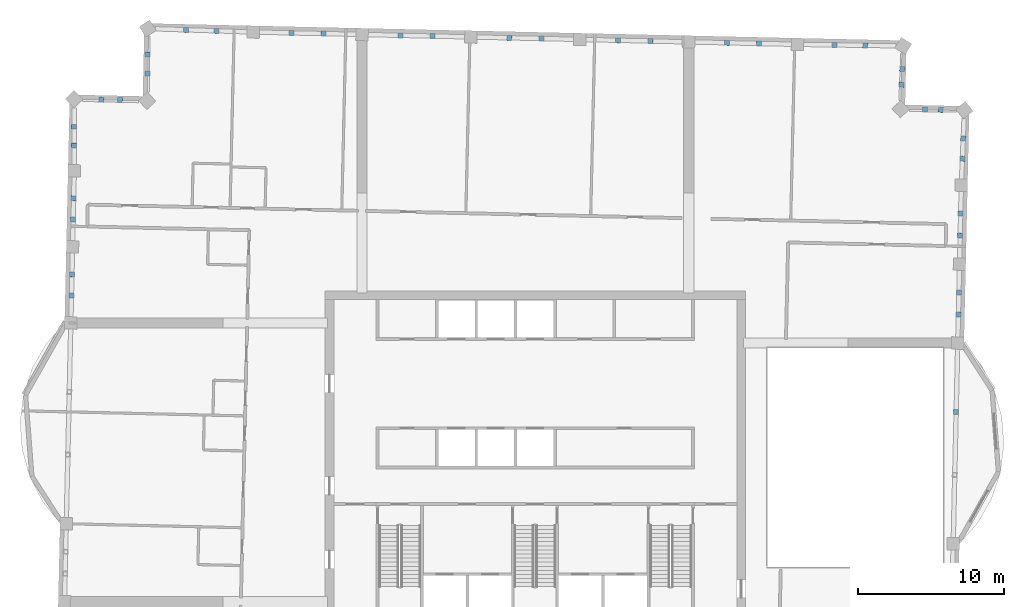
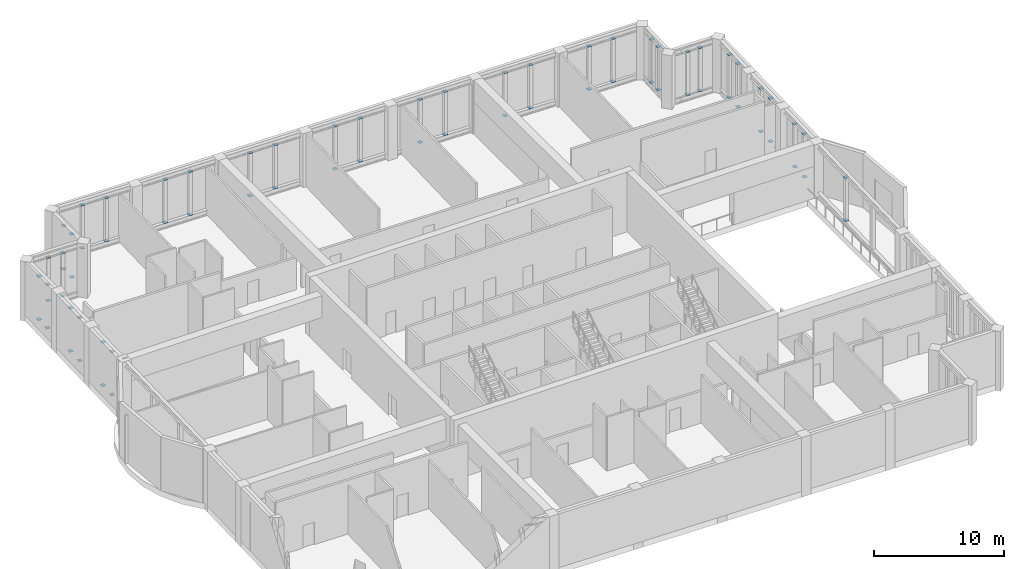
# One storey, part 14 of 16: 70 discrete accessories.
"""IFC4 building model written with IfcOpenShell, lengths in metres."""

import ifcopenshell
import ifcopenshell.guid

model = None  # the IFC model being written
_history = None  # IfcOwnerHistory: only IFC2X3 demands one
_inside = {}  # id of a spatial element -> (the spatial element, [elements in it])
_under = {}  # id of a project, library or spatial element -> (it, [spatial elements below it])
_declared = {}  # id of a project -> (the project, [libraries it declares])
_typed = {}  # id of a type object -> (the type object, [elements of that type])
_made_of = {}  # id of a material, layer set ... -> (it, [elements and type objects made of it])


def new_model(schema):
    """Start an empty IFC model of exactly this schema.

    Asked for "IFC4X3", IfcOpenShell would pick the latest addendum, in which some entities
    have other attributes; the version numbers below select the first issue.
    IFC2X3 requires an IfcOwnerHistory on every rooted entity: one is made here for all.
    """
    global model, _history
    if schema == "IFC4X3":
        model = ifcopenshell.file(schema_version=(4, 3, 0, 0))
    else:
        model = ifcopenshell.file(schema=schema)
    _inside.clear()
    _under.clear()
    _declared.clear()
    _typed.clear()
    _made_of.clear()
    _history = None
    if model.schema == "IFC2X3":
        org = make("IfcOrganization", Name="unknown")
        user = make(
            "IfcPersonAndOrganization",
            ThePerson=make("IfcPerson", FamilyName="unknown"),
            TheOrganization=org,
        )
        app = make(
            "IfcApplication",
            ApplicationDeveloper=org,
            Version="unknown",
            ApplicationFullName="unknown",
            ApplicationIdentifier="unknown",
        )
        _history = make(
            "IfcOwnerHistory",
            OwningUser=user,
            OwningApplication=app,
            ChangeAction="ADDED",
            CreationDate=0,
        )
    return model


def make(cls, **values):
    """One entity of the class cls with the attributes given. An attribute that is None is left unset."""
    return model.create_entity(
        cls, **{name: value for name, value in values.items() if value is not None}
    )


def rooted(cls, **values):
    """An entity with a GlobalId (a new one), such as an element, a storey or a relation."""
    return make(cls, GlobalId=ifcopenshell.guid.new(), OwnerHistory=_history, **values)


def si_unit(unit_type, name, prefix=None):
    """IfcSIUnit, for example si_unit("LENGTHUNIT", "METRE", prefix="MILLI")."""
    return make("IfcSIUnit", UnitType=unit_type, Prefix=prefix, Name=name)


def assignment(units):
    """IfcUnitAssignment: the units of a project."""
    return None if units is None else make("IfcUnitAssignment", Units=units)


def point(xyz):
    """IfcCartesianPoint."""
    return None if xyz is None else make("IfcCartesianPoint", Coordinates=xyz)


def direction(xyz):
    """IfcDirection."""
    return None if xyz is None else make("IfcDirection", DirectionRatios=xyz)


def frame(location, z_axis=None, x_axis=None):
    """IfcAxis2Placement3D, a coordinate frame: its origin and axes. An axis left out is left unset."""
    return make(
        "IfcAxis2Placement3D",
        Location=point(location),
        Axis=direction(z_axis),
        RefDirection=direction(x_axis),
    )


def frame_2d(location, x_axis=None):
    """IfcAxis2Placement2D, a coordinate frame in the plane: its origin and x axis."""
    return make(
        "IfcAxis2Placement2D", Location=point(location), RefDirection=direction(x_axis)
    )


def origin():
    """The frame at (0, 0, 0) with its axes left unset."""
    return frame((0.0, 0.0, 0.0))


def origin_2d():
    """The frame at (0, 0) in the plane with its x axis left unset."""
    return frame_2d((0.0, 0.0))


def place(relative_to, where):
    """IfcLocalPlacement: puts the frame where relative to a parent placement (None: the world)."""
    return make(
        "IfcLocalPlacement", PlacementRelTo=relative_to, RelativePlacement=where
    )


def context(
    kind, dimensions, precision=None, world=None, true_north=None, identifier=None
):
    """IfcGeometricRepresentationContext, for example the 3D "Model" context."""
    return make(
        "IfcGeometricRepresentationContext",
        ContextIdentifier=identifier,
        ContextType=kind,
        CoordinateSpaceDimension=dimensions,
        Precision=precision,
        WorldCoordinateSystem=world,
        TrueNorth=true_north,
    )


def subcontext(parent, identifier, kind, view, scale=None):
    """IfcGeometricRepresentationSubContext, for example "Body" below "Model"."""
    return make(
        "IfcGeometricRepresentationSubContext",
        ContextIdentifier=identifier,
        ContextType=kind,
        ParentContext=parent,
        TargetScale=scale,
        TargetView=view,
    )


def project(units=None, contexts=None):
    """IfcProject with its units and contexts."""
    return rooted(
        "IfcProject",
        Name="project",
        RepresentationContexts=contexts,
        UnitsInContext=assignment(units),
    )


def spatial(cls, under=None, at=None, **own):
    """A site, building, storey or space (cls), placed at a placement, below another one or the project."""
    s = rooted(cls, ObjectPlacement=at, **own)
    if under is not None:
        _under.setdefault(under.id(), (under, []))[1].append(s)
    return s


def profile(cls, at=None, kind="AREA", **sizes):
    """A parametric profile (cls). Its sizes go by their IFC names, for example OverallWidth=200.0."""
    return make(cls, ProfileType=kind, Position=at, **sizes)


def rectangle(**sizes):
    """IfcRectangleProfileDef."""
    return profile("IfcRectangleProfileDef", **sizes)


def extrude(swept, where, along, depth):
    """IfcExtrudedAreaSolid: the profile swept, set in the frame where, extruded along a direction by depth."""
    return make(
        "IfcExtrudedAreaSolid",
        SweptArea=swept,
        Position=where,
        ExtrudedDirection=direction(along),
        Depth=depth,
    )


def shape(context_of_items, identifier, shape_type, items):
    """IfcShapeRepresentation: the items that make up one representation, for example the "Body"."""
    return make(
        "IfcShapeRepresentation",
        ContextOfItems=context_of_items,
        RepresentationIdentifier=identifier,
        RepresentationType=shape_type,
        Items=items,
    )


def material(Name=None, Category=None):
    """IfcMaterial."""
    return make("IfcMaterial", Name=Name, Category=Category)


def layer(
    of_material, thickness, ventilated=None, Name=None, Category=None, Priority=None
):
    """IfcMaterialLayer: one layer of a wall or slab, of a material (None: an air gap)."""
    return make(
        "IfcMaterialLayer",
        Material=of_material,
        LayerThickness=thickness,
        IsVentilated=ventilated,
        Name=Name,
        Category=Category,
        Priority=Priority,
    )


def layer_set(layers, Name=None):
    """IfcMaterialLayerSet."""
    return make("IfcMaterialLayerSet", MaterialLayers=layers, LayerSetName=Name)


def made_of(thing, what):
    """Note that an element or type object is made of a material, layer set ...; save() writes the relation."""
    if what is not None:
        _made_of.setdefault(what.id(), (what, []))[1].append(thing)
    return thing


def type_object(cls, material=None, **own):
    """A type object (cls), such as IfcWallType, which elements share."""
    return made_of(rooted(cls, **own), material)


def element(
    cls,
    number,
    at=None,
    inside=None,
    cuts=None,
    type_object=None,
    material=None,
    context=None,
    identifier="Body",
    shape_type=None,
    held_by="IfcProductDefinitionShape",
    body=None,
    shapes=None,
    **own,
):
    """One element of the class cls, such as IfcWall. Its Tag is "e" and its number.

    at: its placement. inside: the storey or other place that contains it. cuts: it is an
    opening in that element (IfcRelVoidsElement). A single representation is given by context,
    identifier, shape_type and body (its items); several are given by shapes. held_by: the class
    of the entity that holds the representations. save() writes the other relations.
    """
    e = rooted(cls, Tag="e%d" % number, ObjectPlacement=at, **own)
    if body is not None:
        shapes = [shape(context, identifier, shape_type, body)]
    if shapes is not None:
        e.Representation = make(held_by, Representations=shapes)
    if inside is not None:
        _inside.setdefault(inside.id(), (inside, []))[1].append(e)
    if cuts is not None:
        rooted(
            "IfcRelVoidsElement", RelatingBuildingElement=cuts, RelatedOpeningElement=e
        )
    if type_object is not None:
        _typed.setdefault(type_object.id(), (type_object, []))[1].append(e)
    return made_of(e, material)


def aggregate(whole, parts):
    """IfcRelAggregates: a whole, such as a stair, and the parts it consists of."""
    return rooted("IfcRelAggregates", RelatingObject=whole, RelatedObjects=parts)


def save(model, path):
    """Write the relations noted so far, then the file.

    IfcRelAggregates (storeys below a building ...), IfcRelContainedInSpatialStructure (elements
    in a storey), IfcRelDefinesByType, IfcRelAssociatesMaterial and IfcRelDeclares: one each for
    every whole, place, type object, material and project.
    """
    for whole, parts in _under.values():
        aggregate(whole, parts)
    for where, things in _inside.values():
        rooted(
            "IfcRelContainedInSpatialStructure",
            RelatedElements=things,
            RelatingStructure=where,
        )
    for kind, things in _typed.values():
        rooted("IfcRelDefinesByType", RelatedObjects=things, RelatingType=kind)
    for what, things in _made_of.values():
        rooted("IfcRelAssociatesMaterial", RelatedObjects=things, RelatingMaterial=what)
    for by, libraries in _declared.values():
        rooted("IfcRelDeclares", RelatingContext=by, RelatedDefinitions=libraries)
    model.write(path)


model = new_model("IFC4")

# Units and contexts
model_context = context("Model", 3, precision=1e-05, world=origin(), true_north=direction((0.0, 1.0)))
body_context = subcontext(model_context, "Body", "Model", "MODEL_VIEW")
ifc_project = project(units=[si_unit("LENGTHUNIT", "METRE"), si_unit("AREAUNIT", "SQUARE_METRE"), si_unit("VOLUMEUNIT", "CUBIC_METRE"), si_unit("PLANEANGLEUNIT", "RADIAN"), si_unit("MASSUNIT", "GRAM", prefix="KILO")], contexts=[model_context])

# Site, building, storey
site_placement = place(None, origin())
site = spatial("IfcSite", under=ifc_project, at=site_placement, CompositionType="ELEMENT")
building_placement = place(site_placement, origin())
building = spatial("IfcBuilding", under=site, at=building_placement, Name="Mangrove Gate Tower", CompositionType="ELEMENT")
storey_placement = place(building_placement, frame((0.0, 0.0, 324.10009765625)))
storey = spatial("IfcBuildingStorey", under=building, at=storey_placement, Name="L83", CompositionType="ELEMENT", Elevation=324.10009765625)

# Discrete accessories
ifc_material = material(Name="Steel S355J2H", Category="steel")
ifc_layer = layer(ifc_material, 0.02001953125)
ifc_layer_set = layer_set([ifc_layer], Name="Belt truss end plate 340x340x20")
discrete_accessory_type = type_object("IfcDiscreteAccessoryType", Name="Belt truss end plate 340x340x20", PredefinedType="ANCHORPLATE", material=ifc_layer_set)
for number, where, z_axis, x_axis, name in (
    (1, (28.81591796875, 3.110595703125, 0.489990234375), (0.0, 0.0, 1.0), (0.022690073034, 0.999742547152, 0.0), "Belt truss end plate L83 17-2 bottom"),
    (2, (28.81591796875, 3.110595703125, 4.539794921875), (0.0, 0.0, 1.0), (0.022690073034, 0.999742547152, 0.0), "Belt truss end plate L83 17-2 top"),
    (3, (28.96728515625, 9.778564453125, 0.489990234375), (0.0, 0.0, 1.0), (0.022742314708, 0.999741360114, 0.0), "Belt truss end plate L83 18-1 bottom"),
    (4, (28.96728515625, 9.778564453125, 4.539794921875), (0.0, 0.0, 1.0), (0.022742314708, 0.999741360114, 0.0), "Belt truss end plate L83 18-1 top"),
    (5, (29.001953125, 11.297607421875, 0.489990234375), (0.0, 0.0, 1.0), (0.022742314708, 0.999741360114, 0.0), "Belt truss end plate L83 18-2 bottom"),
    (6, (29.001953125, 11.297607421875, 4.539794921875), (0.0, 0.0, 1.0), (0.022742314708, 0.999741360114, 0.0), "Belt truss end plate L83 18-2 top"),
    (7, (29.090087890625, 15.185302734375, 0.489990234375), (0.0, 0.0, 1.0), (0.022561771828, 0.999745450828, 0.0), "Belt truss end plate L83 19-1 bottom"),
    (8, (29.090087890625, 15.185302734375, 4.539794921875), (0.0, 0.0, 1.0), (0.022561771828, 0.999745450828, 0.0), "Belt truss end plate L83 19-1 top"),
    (9, (29.124267578125, 16.7041015625, 0.489990234375), (0.0, 0.0, 1.0), (0.022561771828, 0.999745450828, 0.0), "Belt truss end plate L83 19-2 bottom"),
    (10, (29.124267578125, 16.7041015625, 4.539794921875), (0.0, 0.0, 1.0), (0.022561771828, 0.999745450828, 0.0), "Belt truss end plate L83 19-2 top"),
    (11, (29.242919921875, 20.457763671875, 0.489990234375), (0.0, 0.0, 1.0), (0.041275762164, 0.9991477926, 0.0), "Belt truss end plate L83 20-1 bottom"),
    (12, (29.242919921875, 20.457763671875, 4.539794921875), (0.0, 0.0, 1.0), (0.041275762164, 0.9991477926, 0.0), "Belt truss end plate L83 20-1 top"),
    (13, (29.300048828125, 21.843017578125, 0.489990234375), (0.0, 0.0, 1.0), (0.041275762164, 0.9991477926, 0.0), "Belt truss end plate L83 20-2 bottom"),
    (14, (29.300048828125, 21.843017578125, 4.539794921875), (0.0, 0.0, 1.0), (0.041275762164, 0.9991477926, 0.0), "Belt truss end plate L83 20-2 top"),
    (15, (27.75927734375, 23.809326171875, 0.489990234375), (0.0, 0.0, 1.0), (-0.999882390352, 0.015336409724, 0.0), "Belt truss end plate L83 21-1 bottom"),
    (16, (27.75927734375, 23.809326171875, 4.539794921875), (0.0, 0.0, 1.0), (-0.999882390352, 0.015336409724, 0.0), "Belt truss end plate L83 21-1 top"),
    (17, (26.682861328125, 23.82568359375, 0.489990234375), (0.0, 0.0, 1.0), (-0.999882390352, 0.015336409724, 0.0), "Belt truss end plate L83 21-2 bottom"),
    (18, (26.682861328125, 23.82568359375, 4.539794921875), (0.0, 0.0, 1.0), (-0.999882390352, 0.015336409724, 0.0), "Belt truss end plate L83 21-2 top"),
    (19, (25.08056640625, 25.525390625, 0.489990234375), (0.0, 0.0, 1.0), (0.042220365278, 0.999108322834, 0.0), "Belt truss end plate L83 22-1 bottom"),
    (20, (25.08056640625, 25.525390625, 4.539794921875), (0.0, 0.0, 1.0), (0.042220365278, 0.999108322834, 0.0), "Belt truss end plate L83 22-1 top"),
    (21, (25.126220703125, 26.610595703125, 0.489990234375), (0.0, 0.0, 1.0), (0.042220365278, 0.999108322834, 0.0), "Belt truss end plate L83 22-2 bottom"),
    (22, (25.126220703125, 26.610595703125, 4.539794921875), (0.0, 0.0, 1.0), (0.042220365278, 0.999108322834, 0.0), "Belt truss end plate L83 22-2 top"),
    (23, (22.59033203125, 28.220703125, 0.489990234375), (0.0, 0.0, 1.0), (-0.99989457467, 0.014520314926, 0.0), "Belt truss end plate L83 23-1 bottom"),
    (24, (22.59033203125, 28.220703125, 4.539794921875), (0.0, 0.0, 1.0), (-0.99989457467, 0.014520314926, 0.0), "Belt truss end plate L83 23-1 top"),
    (25, (20.48388671875, 28.25146484375, 0.489990234375), (0.0, 0.0, 1.0), (-0.99989457467, 0.014520314926, 0.0), "Belt truss end plate L83 23-2 bottom"),
    (26, (20.48388671875, 28.25146484375, 4.539794921875), (0.0, 0.0, 1.0), (-0.99989457467, 0.014520314926, 0.0), "Belt truss end plate L83 23-2 top"),
    (27, (15.32568359375, 28.34765625, 0.489990234375), (0.0, 0.0, 1.0), (-0.99974314835, 0.0226635683, 0.0), "Belt truss end plate L83 24-1 bottom"),
    (28, (15.32568359375, 28.34765625, 4.539794921875), (0.0, 0.0, 1.0), (-0.99974314835, 0.0226635683, 0.0), "Belt truss end plate L83 24-1 top"),
    (29, (13.1240234375, 28.3974609375, 0.489990234375), (0.0, 0.0, 1.0), (-0.99974314835, 0.0226635683, 0.0), "Belt truss end plate L83 24-2 bottom"),
    (30, (13.1240234375, 28.3974609375, 4.539794921875), (0.0, 0.0, 1.0), (-0.99974314835, 0.0226635683, 0.0), "Belt truss end plate L83 24-2 top"),
    (31, (7.870361328125, 28.51708984375, 0.489990234375), (0.0, 0.0, 1.0), (-0.999740171539, 0.022794503973, 0.0), "Belt truss end plate L83 25-1 bottom"),
    (32, (7.870361328125, 28.51708984375, 4.539794921875), (0.0, 0.0, 1.0), (-0.999740171539, 0.022794503973, 0.0), "Belt truss end plate L83 25-1 top"),
    (33, (5.668212890625, 28.567138671875, 0.489990234375), (0.0, 0.0, 1.0), (-0.999740171539, 0.022794503973, 0.0), "Belt truss end plate L83 25-2 bottom"),
    (34, (5.668212890625, 28.567138671875, 4.539794921875), (0.0, 0.0, 1.0), (-0.999740171539, 0.022794503973, 0.0), "Belt truss end plate L83 25-2 top"),
    (35, (0.414794921875, 28.686767578125, 0.489990234375), (0.0, 0.0, 1.0), (-0.999743150327, 0.022663481056, 0.0), "Belt truss end plate L83 26-1 bottom"),
    (36, (0.414794921875, 28.686767578125, 4.539794921875), (0.0, 0.0, 1.0), (-0.999743150327, 0.022663481056, 0.0), "Belt truss end plate L83 26-1 top"),
    (37, (-1.787109375, 28.736572265625, 0.489990234375), (0.0, 0.0, 1.0), (-0.999743150327, 0.022663481056, 0.0), "Belt truss end plate L83 26-2 bottom"),
    (38, (-1.787109375, 28.736572265625, 4.539794921875), (0.0, 0.0, 1.0), (-0.999743150327, 0.022663481056, 0.0), "Belt truss end plate L83 26-2 top"),
    (39, (-7.040283203125, 28.855712890625, 0.489990234375), (0.0, 0.0, 1.0), (-0.999743149141, 0.022663533403, 0.0), "Belt truss end plate L83 27-1 bottom"),
    (40, (-7.040283203125, 28.855712890625, 4.539794921875), (0.0, 0.0, 1.0), (-0.999743149141, 0.022663533403, 0.0), "Belt truss end plate L83 27-1 top"),
    (41, (-9.241943359375, 28.905517578125, 0.489990234375), (0.0, 0.0, 1.0), (-0.999743149141, 0.022663533403, 0.0), "Belt truss end plate L83 27-2 bottom"),
    (42, (-9.241943359375, 28.905517578125, 4.539794921875), (0.0, 0.0, 1.0), (-0.999743149141, 0.022663533403, 0.0), "Belt truss end plate L83 27-2 top"),
    (43, (-14.495361328125, 29.024658203125, 0.489990234375), (0.0, 0.0, 1.0), (-0.999743149141, 0.022663533403, 0.0), "Belt truss end plate L83 28-1 bottom"),
    (44, (-14.495361328125, 29.024658203125, 4.539794921875), (0.0, 0.0, 1.0), (-0.999743149141, 0.022663533403, 0.0), "Belt truss end plate L83 28-1 top"),
    (45, (-16.697021484375, 29.074462890625, 0.489990234375), (0.0, 0.0, 1.0), (-0.999743149141, 0.022663533403, 0.0), "Belt truss end plate L83 28-2 bottom"),
    (46, (-16.697021484375, 29.074462890625, 4.539794921875), (0.0, 0.0, 1.0), (-0.999743149141, 0.022663533403, 0.0), "Belt truss end plate L83 28-2 top"),
    (47, (-21.8408203125, 29.21630859375, 0.489990234375), (0.0, 0.0, 1.0), (-0.999467540321, 0.032628757927, 0.0), "Belt truss end plate L83 29-1 bottom"),
    (48, (-21.8408203125, 29.21630859375, 4.539794921875), (0.0, 0.0, 1.0), (-0.999467540321, 0.032628757927, 0.0), "Belt truss end plate L83 29-1 top"),
    (49, (-23.93310546875, 29.28466796875, 0.489990234375), (0.0, 0.0, 1.0), (-0.999467540321, 0.032628757927, 0.0), "Belt truss end plate L83 29-2 bottom"),
    (50, (-23.93310546875, 29.28466796875, 4.539794921875), (0.0, 0.0, 1.0), (-0.999467540321, 0.032628757927, 0.0), "Belt truss end plate L83 29-2 top"),
    (51, (-26.55810546875, 27.580322265625, 0.489990234375), (0.0, 0.0, 1.0), (-0.009903900912, -0.999950955171, 0.0), "Belt truss end plate L83 30-1 bottom"),
    (52, (-26.55810546875, 27.580322265625, 4.539794921875), (0.0, 0.0, 1.0), (-0.009903900912, -0.999950955171, 0.0), "Belt truss end plate L83 30-1 top"),
    (53, (-26.57080078125, 26.298095703125, 0.489990234375), (0.0, 0.0, 1.0), (-0.009903900912, -0.999950955171, 0.0), "Belt truss end plate L83 30-2 bottom"),
    (54, (-26.57080078125, 26.298095703125, 4.539794921875), (0.0, 0.0, 1.0), (-0.009903900912, -0.999950955171, 0.0), "Belt truss end plate L83 30-2 top"),
    (55, (-28.457763671875, 24.46728515625, 0.489990234375), (0.0, 0.0, 1.0), (-0.99971561486, 0.023847209588, 0.0), "Belt truss end plate L83 31-1 bottom"),
    (56, (-28.457763671875, 24.46728515625, 4.539794921875), (0.0, 0.0, 1.0), (-0.99971561486, 0.023847209588, 0.0), "Belt truss end plate L83 31-1 top"),
    (57, (-29.725830078125, 24.49755859375, 0.489990234375), (0.0, 0.0, 1.0), (-0.99971561486, 0.023847209588, 0.0), "Belt truss end plate L83 31-2 bottom"),
    (58, (-29.725830078125, 24.49755859375, 4.539794921875), (0.0, 0.0, 1.0), (-0.99971561486, 0.023847209588, 0.0), "Belt truss end plate L83 31-2 top"),
    (59, (-31.579345703125, 22.645751953125, 0.489990234375), (0.0, 0.0, 1.0), (0.001433857302, -0.999998972026, 0.0), "Belt truss end plate L83 32-1 bottom"),
    (60, (-31.579345703125, 22.645751953125, 4.539794921875), (0.0, 0.0, 1.0), (0.001433857302, -0.999998972026, 0.0), "Belt truss end plate L83 32-1 top"),
    (61, (-31.57763671875, 21.3486328125, 0.489990234375), (0.0, 0.0, 1.0), (0.001433857302, -0.999998972026, 0.0), "Belt truss end plate L83 32-2 bottom"),
    (62, (-31.57763671875, 21.3486328125, 4.539794921875), (0.0, 0.0, 1.0), (0.001433857302, -0.999998972026, 0.0), "Belt truss end plate L83 32-2 top"),
    (63, (-31.61767578125, 17.7490234375, 0.489990234375), (0.0, 0.0, 1.0), (-0.022655978068, -0.999743320387, 0.0), "Belt truss end plate L83 33-1 bottom"),
    (64, (-31.61767578125, 17.7490234375, 4.539794921875), (0.0, 0.0, 1.0), (-0.022655978068, -0.999743320387, 0.0), "Belt truss end plate L83 33-1 top"),
    (65, (-31.650634765625, 16.296630859375, 0.489990234375), (0.0, 0.0, 1.0), (-0.022655978068, -0.999743320387, 0.0), "Belt truss end plate L83 33-2 bottom"),
    (66, (-31.650634765625, 16.296630859375, 4.539794921875), (0.0, 0.0, 1.0), (-0.022655978068, -0.999743320387, 0.0), "Belt truss end plate L83 33-2 top"),
    (67, (-31.735595703125, 12.5419921875, 0.489990234375), (0.0, 0.0, 1.0), (-0.02265594317, -0.999743321178, 0.0), "Belt truss end plate L83 34-1 bottom"),
    (68, (-31.735595703125, 12.5419921875, 4.539794921875), (0.0, 0.0, 1.0), (-0.02265594317, -0.999743321178, 0.0), "Belt truss end plate L83 34-1 top"),
    (69, (-31.7685546875, 11.089599609375, 0.489990234375), (0.0, 0.0, 1.0), (-0.02265594317, -0.999743321178, 0.0), "Belt truss end plate L83 34-2 bottom"),
    (70, (-31.7685546875, 11.089599609375, 4.539794921875), (0.0, 0.0, 1.0), (-0.02265594317, -0.999743321178, 0.0), "Belt truss end plate L83 34-2 top"),
):
    element("IfcDiscreteAccessory", number, at=place(storey_placement, frame(where, z_axis=z_axis, x_axis=x_axis)), inside=storey, type_object=discrete_accessory_type, Name=name, PredefinedType="ANCHORPLATE", context=body_context, shape_type="SweptSolid", body=[
        extrude(rectangle(XDim=0.340087890625, YDim=0.340087890625, at=origin_2d()), origin(), (0.0, 0.0, 1.0), 0.02001953125),
    ])

save(model, "model.ifc")
